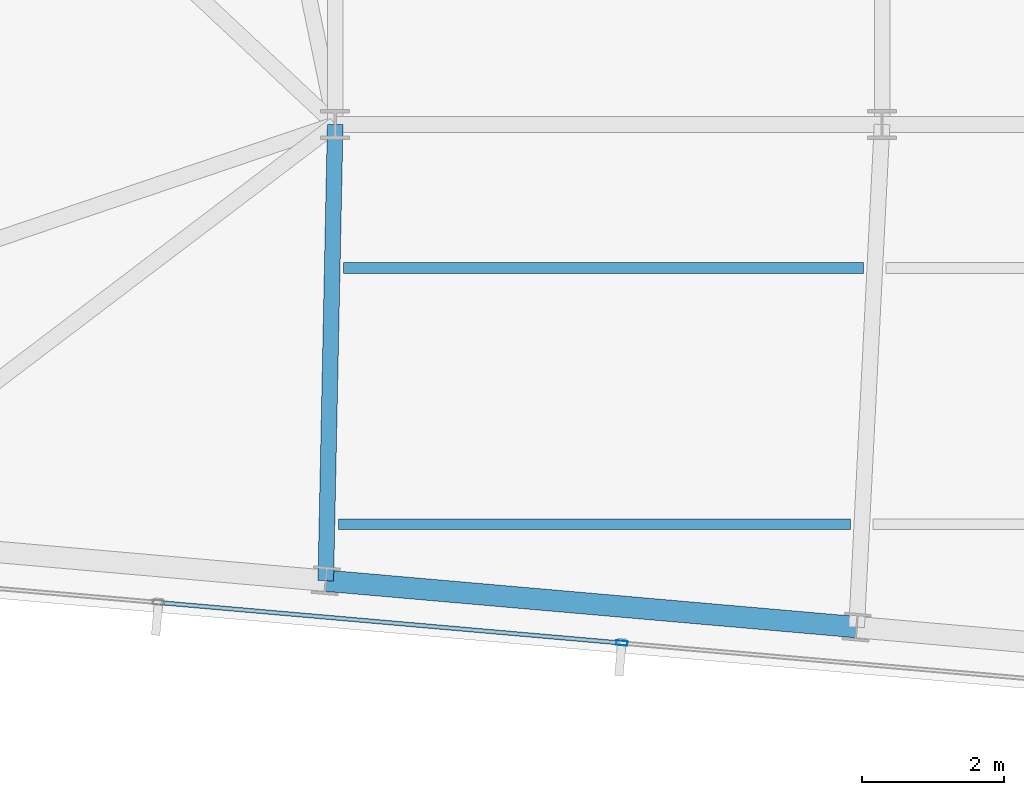
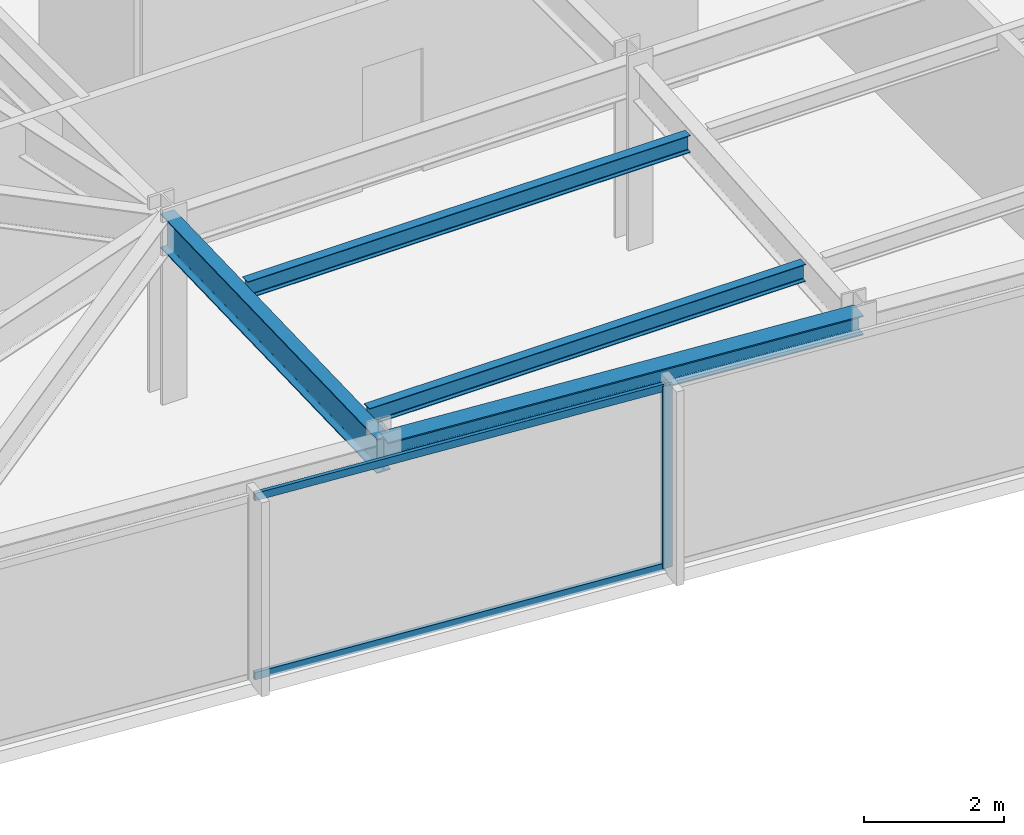
# One storey, part 6 of 32: 4 beams, 3 members, 1 element without a shape of its own.
"""IFC4 building model written with IfcOpenShell, lengths in metres."""

import ifcopenshell
import ifcopenshell.guid

model = None  # the IFC model being written
_history = None  # IfcOwnerHistory: only IFC2X3 demands one
_inside = {}  # id of a spatial element -> (the spatial element, [elements in it])
_under = {}  # id of a project, library or spatial element -> (it, [spatial elements below it])
_declared = {}  # id of a project -> (the project, [libraries it declares])
_typed = {}  # id of a type object -> (the type object, [elements of that type])
_made_of = {}  # id of a material, layer set ... -> (it, [elements and type objects made of it])


def new_model(schema):
    """Start an empty IFC model of exactly this schema.

    Asked for "IFC4X3", IfcOpenShell would pick the latest addendum, in which some entities
    have other attributes; the version numbers below select the first issue.
    IFC2X3 requires an IfcOwnerHistory on every rooted entity: one is made here for all.
    """
    global model, _history
    if schema == "IFC4X3":
        model = ifcopenshell.file(schema_version=(4, 3, 0, 0))
    else:
        model = ifcopenshell.file(schema=schema)
    _inside.clear()
    _under.clear()
    _declared.clear()
    _typed.clear()
    _made_of.clear()
    _history = None
    if model.schema == "IFC2X3":
        org = make("IfcOrganization", Name="unknown")
        user = make(
            "IfcPersonAndOrganization",
            ThePerson=make("IfcPerson", FamilyName="unknown"),
            TheOrganization=org,
        )
        app = make(
            "IfcApplication",
            ApplicationDeveloper=org,
            Version="unknown",
            ApplicationFullName="unknown",
            ApplicationIdentifier="unknown",
        )
        _history = make(
            "IfcOwnerHistory",
            OwningUser=user,
            OwningApplication=app,
            ChangeAction="ADDED",
            CreationDate=0,
        )
    return model


def make(cls, **values):
    """One entity of the class cls with the attributes given. An attribute that is None is left unset."""
    return model.create_entity(
        cls, **{name: value for name, value in values.items() if value is not None}
    )


def rooted(cls, **values):
    """An entity with a GlobalId (a new one), such as an element, a storey or a relation."""
    return make(cls, GlobalId=ifcopenshell.guid.new(), OwnerHistory=_history, **values)


def si_unit(unit_type, name, prefix=None):
    """IfcSIUnit, for example si_unit("LENGTHUNIT", "METRE", prefix="MILLI")."""
    return make("IfcSIUnit", UnitType=unit_type, Prefix=prefix, Name=name)


def assignment(units):
    """IfcUnitAssignment: the units of a project."""
    return None if units is None else make("IfcUnitAssignment", Units=units)


def point(xyz):
    """IfcCartesianPoint."""
    return None if xyz is None else make("IfcCartesianPoint", Coordinates=xyz)


def direction(xyz):
    """IfcDirection."""
    return None if xyz is None else make("IfcDirection", DirectionRatios=xyz)


def frame(location, z_axis=None, x_axis=None):
    """IfcAxis2Placement3D, a coordinate frame: its origin and axes. An axis left out is left unset."""
    return make(
        "IfcAxis2Placement3D",
        Location=point(location),
        Axis=direction(z_axis),
        RefDirection=direction(x_axis),
    )


def frame_2d(location, x_axis=None):
    """IfcAxis2Placement2D, a coordinate frame in the plane: its origin and x axis."""
    return make(
        "IfcAxis2Placement2D", Location=point(location), RefDirection=direction(x_axis)
    )


def origin():
    """The frame at (0, 0, 0) with its axes left unset."""
    return frame((0.0, 0.0, 0.0))


def origin_2d():
    """The frame at (0, 0) in the plane with its x axis left unset."""
    return frame_2d((0.0, 0.0))


def place(relative_to, where):
    """IfcLocalPlacement: puts the frame where relative to a parent placement (None: the world)."""
    return make(
        "IfcLocalPlacement", PlacementRelTo=relative_to, RelativePlacement=where
    )


def context(
    kind, dimensions, precision=None, world=None, true_north=None, identifier=None
):
    """IfcGeometricRepresentationContext, for example the 3D "Model" context."""
    return make(
        "IfcGeometricRepresentationContext",
        ContextIdentifier=identifier,
        ContextType=kind,
        CoordinateSpaceDimension=dimensions,
        Precision=precision,
        WorldCoordinateSystem=world,
        TrueNorth=true_north,
    )


def subcontext(parent, identifier, kind, view, scale=None):
    """IfcGeometricRepresentationSubContext, for example "Body" below "Model"."""
    return make(
        "IfcGeometricRepresentationSubContext",
        ContextIdentifier=identifier,
        ContextType=kind,
        ParentContext=parent,
        TargetScale=scale,
        TargetView=view,
    )


def project(units=None, contexts=None):
    """IfcProject with its units and contexts."""
    return rooted(
        "IfcProject",
        Name="project",
        RepresentationContexts=contexts,
        UnitsInContext=assignment(units),
    )


def spatial(cls, under=None, at=None, **own):
    """A site, building, storey or space (cls), placed at a placement, below another one or the project."""
    s = rooted(cls, ObjectPlacement=at, **own)
    if under is not None:
        _under.setdefault(under.id(), (under, []))[1].append(s)
    return s


def profile(cls, at=None, kind="AREA", **sizes):
    """A parametric profile (cls). Its sizes go by their IFC names, for example OverallWidth=200.0."""
    return make(cls, ProfileType=kind, Position=at, **sizes)


def hollow_rectangle(**sizes):
    """IfcRectangleHollowProfileDef."""
    return profile("IfcRectangleHollowProfileDef", **sizes)


def i_section(**sizes):
    """IfcIShapeProfileDef."""
    return profile("IfcIShapeProfileDef", **sizes)


def extrude(swept, where, along, depth):
    """IfcExtrudedAreaSolid: the profile swept, set in the frame where, extruded along a direction by depth."""
    return make(
        "IfcExtrudedAreaSolid",
        SweptArea=swept,
        Position=where,
        ExtrudedDirection=direction(along),
        Depth=depth,
    )


def shape(context_of_items, identifier, shape_type, items):
    """IfcShapeRepresentation: the items that make up one representation, for example the "Body"."""
    return make(
        "IfcShapeRepresentation",
        ContextOfItems=context_of_items,
        RepresentationIdentifier=identifier,
        RepresentationType=shape_type,
        Items=items,
    )


def material(Name=None, Category=None):
    """IfcMaterial."""
    return make("IfcMaterial", Name=Name, Category=Category)


def material_profile(
    of_material, cross_section, Name=None, Category=None, Priority=None
):
    """IfcMaterialProfile: a cross section and its material."""
    return make(
        "IfcMaterialProfile",
        Name=Name,
        Material=of_material,
        Profile=cross_section,
        Priority=Priority,
        Category=Category,
    )


def profile_set(profiles, Name=None, composite=None):
    """IfcMaterialProfileSet."""
    return make(
        "IfcMaterialProfileSet",
        Name=Name,
        MaterialProfiles=profiles,
        CompositeProfile=composite,
    )


def made_of(thing, what):
    """Note that an element or type object is made of a material, layer set ...; save() writes the relation."""
    if what is not None:
        _made_of.setdefault(what.id(), (what, []))[1].append(thing)
    return thing


def type_object(cls, material=None, **own):
    """A type object (cls), such as IfcWallType, which elements share."""
    return made_of(rooted(cls, **own), material)


def element(
    cls,
    number,
    at=None,
    inside=None,
    cuts=None,
    type_object=None,
    material=None,
    context=None,
    identifier="Body",
    shape_type=None,
    held_by="IfcProductDefinitionShape",
    body=None,
    shapes=None,
    **own,
):
    """One element of the class cls, such as IfcWall. Its Tag is "e" and its number.

    at: its placement. inside: the storey or other place that contains it. cuts: it is an
    opening in that element (IfcRelVoidsElement). A single representation is given by context,
    identifier, shape_type and body (its items); several are given by shapes. held_by: the class
    of the entity that holds the representations. save() writes the other relations.
    """
    e = rooted(cls, Tag="e%d" % number, ObjectPlacement=at, **own)
    if body is not None:
        shapes = [shape(context, identifier, shape_type, body)]
    if shapes is not None:
        e.Representation = make(held_by, Representations=shapes)
    if inside is not None:
        _inside.setdefault(inside.id(), (inside, []))[1].append(e)
    if cuts is not None:
        rooted(
            "IfcRelVoidsElement", RelatingBuildingElement=cuts, RelatedOpeningElement=e
        )
    if type_object is not None:
        _typed.setdefault(type_object.id(), (type_object, []))[1].append(e)
    return made_of(e, material)


def aggregate(whole, parts):
    """IfcRelAggregates: a whole, such as a stair, and the parts it consists of."""
    return rooted("IfcRelAggregates", RelatingObject=whole, RelatedObjects=parts)


def save(model, path):
    """Write the relations noted so far, then the file.

    IfcRelAggregates (storeys below a building ...), IfcRelContainedInSpatialStructure (elements
    in a storey), IfcRelDefinesByType, IfcRelAssociatesMaterial and IfcRelDeclares: one each for
    every whole, place, type object, material and project.
    """
    for whole, parts in _under.values():
        aggregate(whole, parts)
    for where, things in _inside.values():
        rooted(
            "IfcRelContainedInSpatialStructure",
            RelatedElements=things,
            RelatingStructure=where,
        )
    for kind, things in _typed.values():
        rooted("IfcRelDefinesByType", RelatedObjects=things, RelatingType=kind)
    for what, things in _made_of.values():
        rooted("IfcRelAssociatesMaterial", RelatedObjects=things, RelatingMaterial=what)
    for by, libraries in _declared.values():
        rooted("IfcRelDeclares", RelatingContext=by, RelatedDefinitions=libraries)
    model.write(path)


model = new_model("IFC4")

# Units and contexts
model_context = context("Model", 3, precision=1e-05, world=origin(), true_north=direction((0.0, 1.0)))
body_context = subcontext(model_context, "Body", "Model", "MODEL_VIEW")
ifc_project = project(units=[si_unit("LENGTHUNIT", "METRE"), si_unit("AREAUNIT", "SQUARE_METRE"), si_unit("VOLUMEUNIT", "CUBIC_METRE"), si_unit("PLANEANGLEUNIT", "RADIAN"), si_unit("MASSUNIT", "GRAM", prefix="KILO")], contexts=[model_context])

# Site, building, storey
site_placement = place(None, origin())
site = spatial("IfcSite", under=ifc_project, at=site_placement, CompositionType="ELEMENT")
building_placement = place(site_placement, origin())
building = spatial("IfcBuilding", under=site, at=building_placement, Name="Yelkora Congress Tower", CompositionType="ELEMENT")
storey_placement = place(building_placement, frame((0.0, 0.0, 269.300048828125)))
storey = spatial("IfcBuildingStorey", under=building, at=storey_placement, Name="L75", CompositionType="ELEMENT", Elevation=269.300048828125)

# Beams
ifc_material_1 = material(Name="Steel S355J2", Category="steel")
ifc_material_profile_1 = material_profile(ifc_material_1, i_section(OverallWidth=0.219970703125, OverallDepth=0.60009765625, WebThickness=0.011962890625, FlangeThickness=0.01904296875, FilletRadius=0.02392578125, at=origin_2d()), Name="IPE 600")
ifc_profile_set_1 = profile_set([ifc_material_profile_1], Name="Steel S355J2")
beam_type_1 = type_object("IfcBeamType", Name="BM-GIRD-IPE600", PredefinedType="BEAM", material=ifc_profile_set_1)
beam_1_placement = place(storey_placement, frame((22.90771484375, 18.793212890625, 2.8798828125), z_axis=(0.020649509667, 0.999786776143, 0.0), x_axis=(-0.999786776143, 0.020649509667, 0.0)))
element("IfcBeam", 1, at=beam_1_placement, inside=storey, type_object=beam_type_1, Name="L75 Primary Frame Girder S03", PredefinedType="BEAM", context=body_context, shape_type="SweptSolid", body=[
    extrude(i_section(OverallWidth=0.219970703125, OverallDepth=0.60009765625, WebThickness=0.011962890625, FlangeThickness=0.01904296875, FilletRadius=0.02392578125, at=origin_2d()), origin(), (0.0, 0.0, 1.0), 6.408203125),
])
ifc_material_profile_2 = material_profile(ifc_material_1, i_section(OverallWidth=0.14990234375, OverallDepth=0.300048828125, WebThickness=0.007080078125, FlangeThickness=0.0107421875, FilletRadius=0.014892578125, at=origin_2d()), Name="IPE 300")
ifc_profile_set_2 = profile_set([ifc_material_profile_2], Name="Steel S355J2")
beam_type_2 = type_object("IfcBeamType", Name="BM-JOIST-IPE300", PredefinedType="JOIST", material=ifc_profile_set_2)
beam_2_placement = place(storey_placement, frame((23.083984375, 19.58447265625, 3.030029296875), z_axis=(1.0, 0.0, 0.0), x_axis=(0.0, 1.0, 0.0)))
element("IfcBeam", 2, at=beam_2_placement, inside=storey, type_object=beam_type_2, Name="L75 Composite Floor Joist 1", PredefinedType="JOIST", context=body_context, shape_type="SweptSolid", body=[
    extrude(i_section(OverallWidth=0.14990234375, OverallDepth=0.300048828125, WebThickness=0.007080078125, FlangeThickness=0.0107421875, FilletRadius=0.014892578125, at=origin_2d()), origin(), (0.0, 0.0, 1.0), 7.191650390625),
])
beam_3_placement = place(storey_placement, frame((23.158447265625, 23.1845703125, 3.030029296875), z_axis=(1.0, 0.0, 0.0), x_axis=(0.0, 1.0, 0.0)))
element("IfcBeam", 3, at=beam_3_placement, inside=storey, type_object=beam_type_2, Name="L75 Composite Floor Joist 5", PredefinedType="JOIST", context=body_context, shape_type="SweptSolid", body=[
    extrude(i_section(OverallWidth=0.14990234375, OverallDepth=0.300048828125, WebThickness=0.007080078125, FlangeThickness=0.0107421875, FilletRadius=0.014892578125, at=origin_2d()), origin(), (0.0, 0.0, 1.0), 7.299560546875),
])
ifc_material_profile_3 = material_profile(ifc_material_1, i_section(OverallWidth=0.300048828125, OverallDepth=0.340087890625, WebThickness=0.011962890625, FlangeThickness=0.021484375, FilletRadius=0.027099609375, at=origin_2d()), Name="HEB 340")
ifc_profile_set_3 = profile_set([ifc_material_profile_3], Name="Steel S355J2")
beam_type_3 = type_object("IfcBeamType", Name="BM-SPAN-HEB340", PredefinedType="SPANDREL", material=ifc_profile_set_3)
beam_4_placement = place(storey_placement, frame((22.90771484375, 18.793212890625, 3.010009765625), z_axis=(0.99619601894, -0.087140644067, 0.0), x_axis=(0.087140644067, 0.99619601894, 0.0)))
element("IfcBeam", 4, at=beam_4_placement, inside=storey, type_object=beam_type_3, Name="L75 Perimeter Beam 3", PredefinedType="SPANDREL", context=body_context, shape_type="SweptSolid", body=[
    extrude(i_section(OverallWidth=0.300048828125, OverallDepth=0.340087890625, WebThickness=0.011962890625, FlangeThickness=0.021484375, FilletRadius=0.027099609375, at=origin_2d()), origin(), (0.0, 0.0, 1.0), 7.4833984375),
])

# Curtain wall, members
ifc_material_2 = material(Name="Anodised aluminium and insulated glass", Category="aluminium")
curtain_wall_type = type_object("IfcCurtainWallType", Name="CW-SYS-B5", PredefinedType="NOTDEFINED", material=ifc_material_2)
curtain_wall_placement = place(storey_placement, origin())
curtain_wall = element("IfcCurtainWall", 5, at=curtain_wall_placement, inside=storey, type_object=curtain_wall_type, Name="L75 Unitised Curtain Wall 20", PredefinedType="NOTDEFINED")
ifc_material_3 = material(Name="Anodised aluminium 6063-T6", Category="aluminium")
ifc_material_profile_4 = material_profile(ifc_material_3, hollow_rectangle(XDim=0.06494140625, YDim=0.159912109375, WallThickness=0.00390625, at=origin_2d()), Name="ALU 65x160x4")
ifc_profile_set_4 = profile_set([ifc_material_profile_4], Name="Anodised aluminium 6063-T6")
member_type_1 = type_object("IfcMemberType", Name="MEM-ML-B5", PredefinedType="MULLION", material=ifc_profile_set_4)
member_1_placement = place(storey_placement, frame((27.06494140625, 17.917724609375, 0.0), z_axis=(0.0, 0.0, 1.0), x_axis=(-0.087156829793, -0.996194602987, 0.0)))
member_1 = element("IfcMember", 6, at=member_1_placement, type_object=member_type_1, Name="CW-B5 mullion 5", PredefinedType="MULLION", context=body_context, shape_type="SweptSolid", body=[
    extrude(hollow_rectangle(XDim=0.06494140625, YDim=0.159912109375, WallThickness=0.00390625, at=origin_2d()), origin(), (0.0, 0.0, 1.0), 3.179931640625),
])
ifc_material_profile_5 = material_profile(ifc_material_3, hollow_rectangle(XDim=0.06005859375, YDim=0.1298828125, WallThickness=0.00390625, at=origin_2d()), Name="ALU 60x130x4")
ifc_profile_set_5 = profile_set([ifc_material_profile_5], Name="Anodised aluminium 6063-T6")
member_type_2 = type_object("IfcMemberType", Name="MEM-TR-B5", PredefinedType="USERDEFINED", material=ifc_profile_set_5)
member_2_placement = place(storey_placement, frame((27.032470703125, 17.920654296875, 0.030029296875), z_axis=(-0.996196257862, 0.087137912649, 0.0), x_axis=(-0.087137912649, -0.996196257862, 0.0)))
member_2 = element("IfcMember", 7, at=member_2_placement, type_object=member_type_2, Name="CW-B5 transom 5.1", ObjectType="TRANSOM", PredefinedType="USERDEFINED", context=body_context, shape_type="SweptSolid", body=[
    extrude(hollow_rectangle(XDim=0.06005859375, YDim=0.1298828125, WallThickness=0.00390625, at=origin_2d()), origin(), (0.0, 0.0, 1.0), 6.466552734375),
])
member_3_placement = place(storey_placement, frame((27.032470703125, 17.920654296875, 3.14990234375), z_axis=(-0.996196257862, 0.087137912649, 0.0), x_axis=(-0.087137912649, -0.996196257862, 0.0)))
member_3 = element("IfcMember", 8, at=member_3_placement, type_object=member_type_2, Name="CW-B5 transom 5.2", ObjectType="TRANSOM", PredefinedType="USERDEFINED", context=body_context, shape_type="SweptSolid", body=[
    extrude(hollow_rectangle(XDim=0.06005859375, YDim=0.1298828125, WallThickness=0.00390625, at=origin_2d()), origin(), (0.0, 0.0, 1.0), 6.466552734375),
])
aggregate(curtain_wall, [member_1, member_2, member_3])

save(model, "model.ifc")
